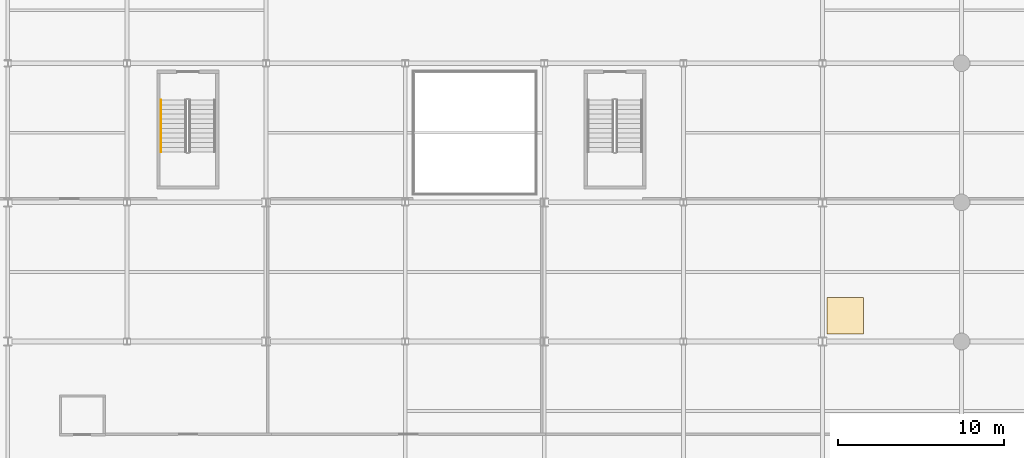
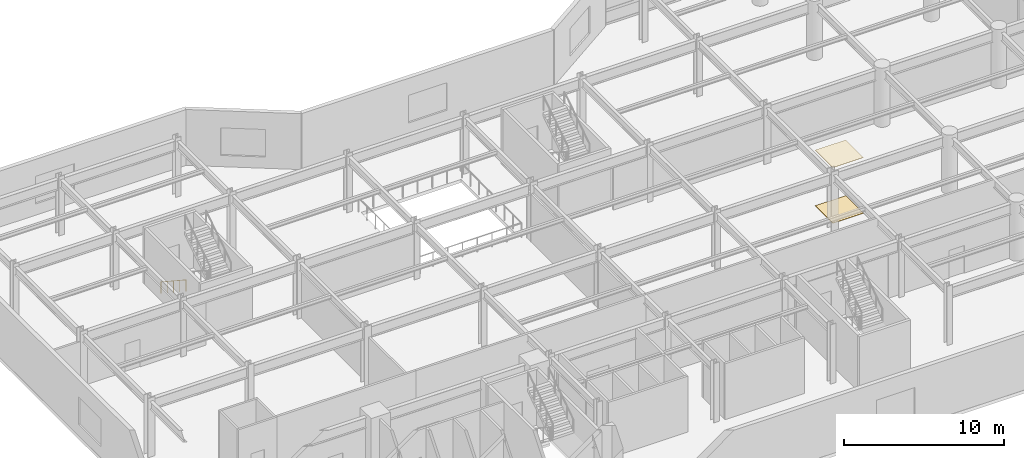
# One storey, part 22 of 26: 2 coverings, 1 railing.
"""IFC4 building model written with IfcOpenShell, lengths in metres."""

from ifc_helpers import new_model, si_unit, direction, frame, origin, origin_2d, place, context, subcontext, project, spatial, rectangle, circle, extrude, material, layer, layer_set, type_object, element, save


model = new_model("IFC4")

# Units and contexts
model_context = context("Model", 3, precision=1e-05, world=origin(), true_north=direction((0.0, 1.0)))
body_context = subcontext(model_context, "Body", "Model", "MODEL_VIEW")
ifc_project = project(units=[si_unit("LENGTHUNIT", "METRE"), si_unit("AREAUNIT", "SQUARE_METRE"), si_unit("VOLUMEUNIT", "CUBIC_METRE"), si_unit("PLANEANGLEUNIT", "RADIAN"), si_unit("MASSUNIT", "GRAM", prefix="KILO")], contexts=[model_context])

# Site, building, storey
site_placement = place(None, origin())
site = spatial("IfcSite", under=ifc_project, at=site_placement, CompositionType="ELEMENT")
building_placement = place(site_placement, origin())
building = spatial("IfcBuilding", under=site, at=building_placement, Name="Varnakote Quay Hospital", CompositionType="ELEMENT")
storey_placement = place(building_placement, frame((0.0, 0.0, 4.5)))
storey = spatial("IfcBuildingStorey", under=building, at=storey_placement, Name="L01", CompositionType="ELEMENT", Elevation=4.5)

# Coverings
ifc_material_1 = material(Name="Antimicrobial acoustic mineral ceiling tile", Category="gypsum")
ifc_layer_1 = layer(ifc_material_1, 0.02490234375)
ifc_layer_set_1 = layer_set([ifc_layer_1], Name="Antimicrobial acoustic mineral ceiling tile")
covering_type_1 = type_object("IfcCoveringType", Name="COV-CLIN-CEIL-25", PredefinedType="CEILING", material=ifc_layer_set_1)
covering_1_placement = place(storey_placement, frame((51.77490234375, 21.9599609375, 4.22509765625), z_axis=(0.0, 0.0, 1.0), x_axis=(1.0, 0.0, 0.0)))
element("IfcCovering", 1, at=covering_1_placement, inside=storey, type_object=covering_type_1, Name="L01 Antimicrobial Acoustic Ceiling Tile", PredefinedType="CEILING", context=body_context, shape_type="SweptSolid", body=[
    extrude(rectangle(XDim=2.199951171875, YDim=2.199951171875, at=origin_2d()), origin(), (0.0, 0.0, 1.0), 0.02490234375),
])
ifc_material_2 = material(Name="Seamless clinical sheet vinyl flooring")
ifc_layer_2 = layer(ifc_material_2, 0.011962890625)
ifc_layer_set_2 = layer_set([ifc_layer_2], Name="Seamless clinical sheet vinyl flooring")
covering_type_2 = type_object("IfcCoveringType", Name="COV-CLIN-VINYL-12", PredefinedType="FLOORING", material=ifc_layer_set_2)
covering_2_placement = place(storey_placement, frame((51.77490234375, 21.9599609375, 0.0), z_axis=(0.0, 0.0, 1.0), x_axis=(1.0, 0.0, 0.0)))
element("IfcCovering", 2, at=covering_2_placement, inside=storey, type_object=covering_type_2, Name="L01 Seamless Clinical Vinyl Flooring", PredefinedType="FLOORING", context=body_context, shape_type="SweptSolid", body=[
    extrude(rectangle(XDim=2.199951171875, YDim=2.199951171875, at=origin_2d()), origin(), (0.0, 0.0, 1.0), 0.011962890625),
])

# Railing
ifc_material_3 = material(Name="Brushed stainless steel handrail", Category="steel")
railing_type = type_object("IfcRailingType", Name="RLG-STAIR-HND-920", PredefinedType="HANDRAIL", material=ifc_material_3)
railing_placement = place(storey_placement, frame((10.449951171875, 34.97998046875, 0.1875)))
element("IfcRailing", 3, at=railing_placement, inside=storey, type_object=railing_type, Name="L01 ST-04 stair handrail 1", PredefinedType="HANDRAIL", context=body_context, shape_type="SweptSolid", body=[
    extrude(circle(Radius=0.02392578125, at=origin_2d()), frame((0.0, 0.0, 0.8759765625), z_axis=(0.0, -0.835417868355, 0.549615306585), x_axis=(1.0, 0.0, 0.0)), (0.0, 0.0, 1.0), 3.752685546875),
    extrude(circle(Radius=0.02099609375, at=origin_2d()), origin(), (0.0, 0.0, 1.0), 0.851806640625),
    extrude(circle(Radius=0.02099609375, at=origin_2d()), frame((0.0, -0.78369140625, 0.515625)), (0.0, 0.0, 1.0), 0.851806640625),
    extrude(circle(Radius=0.02099609375, at=origin_2d()), frame((0.0, -1.5673828125, 1.03125)), (0.0, 0.0, 1.0), 0.851806640625),
    extrude(circle(Radius=0.02099609375, at=origin_2d()), frame((0.0, -2.351318359375, 1.546875)), (0.0, 0.0, 1.0), 0.851806640625),
    extrude(circle(Radius=0.02099609375, at=origin_2d()), frame((0.0, -3.135009765625, 2.0625)), (0.0, 0.0, 1.0), 0.851806640625),
])

save(model, "model.ifc")
